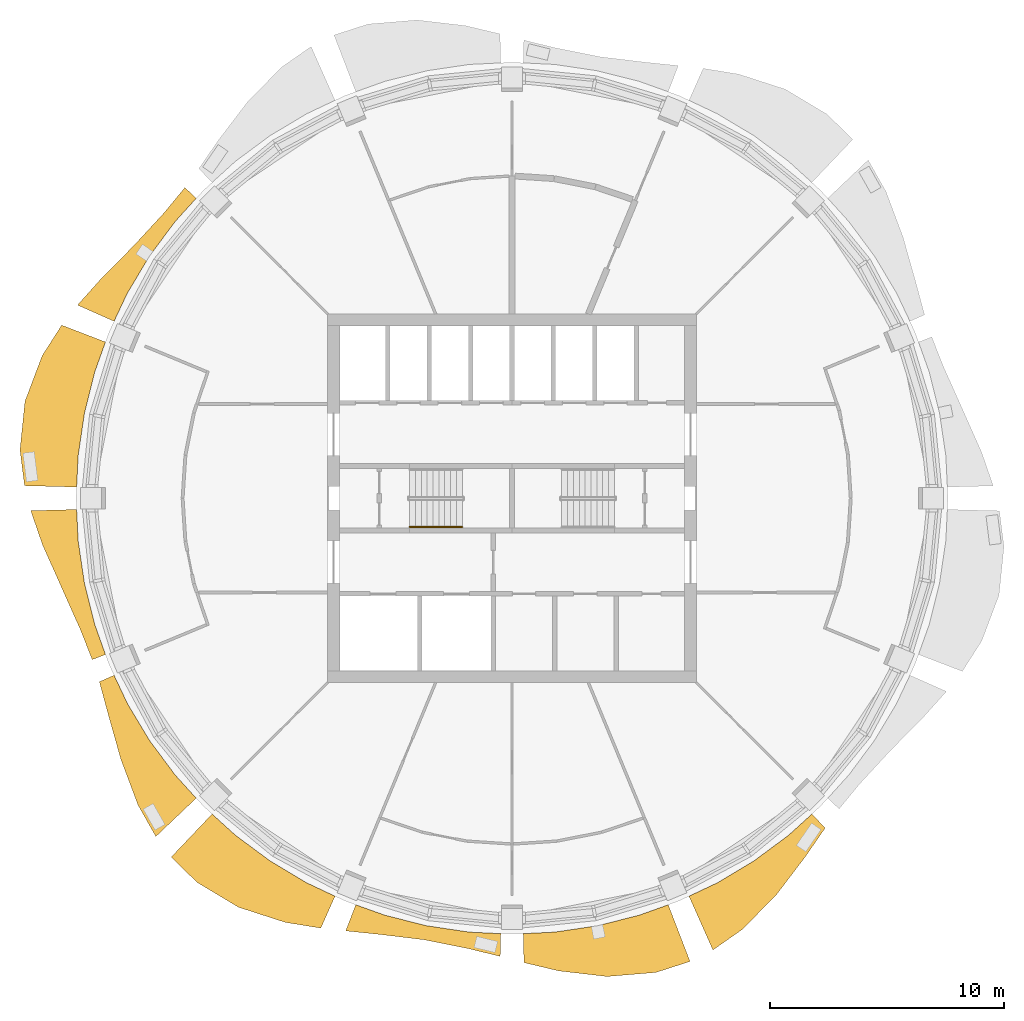
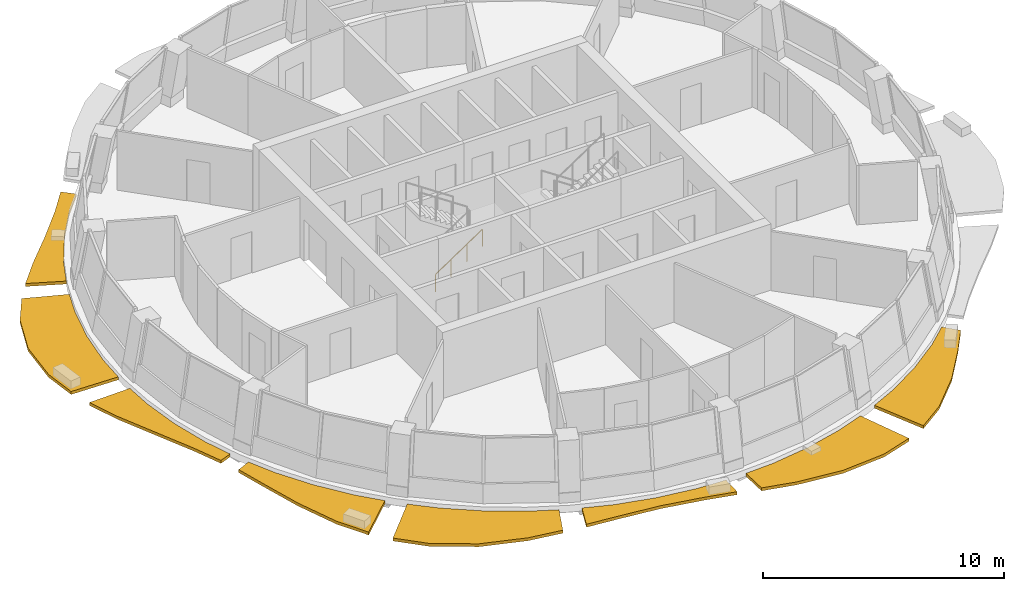
# One storey, part 8 of 11: 8 shading devices, 1 railing.
"""IFC4 building model written with IfcOpenShell, lengths in metres."""

from ifc_helpers import new_model, si_unit, direction, frame, origin, origin_2d, place, context, subcontext, project, spatial, polyline, circle, outline, extrude, material, type_object, element, save


model = new_model("IFC4")

# Units and contexts
model_context = context("Model", 3, precision=1e-05, world=origin(), true_north=direction((0.0, 1.0)))
body_context = subcontext(model_context, "Body", "Model", "MODEL_VIEW")
ifc_project = project(units=[si_unit("LENGTHUNIT", "METRE"), si_unit("AREAUNIT", "SQUARE_METRE"), si_unit("VOLUMEUNIT", "CUBIC_METRE"), si_unit("PLANEANGLEUNIT", "RADIAN"), si_unit("MASSUNIT", "GRAM", prefix="KILO")], contexts=[model_context])

# Site, building, storey
site_placement = place(None, origin())
site = spatial("IfcSite", under=ifc_project, at=site_placement, CompositionType="ELEMENT")
building_placement = place(site_placement, origin())
building = spatial("IfcBuilding", under=site, at=building_placement, Name="Polderwave Tower", CompositionType="ELEMENT")
storey_placement = place(building_placement, frame((0.0, 0.0, 184.300048828125)))
storey = spatial("IfcBuildingStorey", under=building, at=storey_placement, Name="L49", CompositionType="ELEMENT", Elevation=184.300048828125)

# Railing
ifc_material_1 = material(Name="Stainless steel", Category="steel")
railing_type = type_object("IfcRailingType", Name="Stair handrail 900", PredefinedType="HANDRAIL", material=ifc_material_1)
railing_placement = place(storey_placement, frame((-4.3740234375, -1.22509765625, 0.16748046875)))
element("IfcRailing", 1, at=railing_placement, inside=storey, type_object=railing_type, Name="L49 ST-A stair handrail 1", PredefinedType="HANDRAIL", context=body_context, shape_type="SweptSolid", body=[
    extrude(circle(Radius=0.02392578125, at=origin_2d()), frame((0.0, 0.0, 0.8759765625), z_axis=(0.830758306289, 0.0, 0.556633305266), x_axis=(0.0, 1.0, 0.0)), (0.0, 0.0, 1.0), 2.708251953125),
    extrude(circle(Radius=0.02099609375, at=origin_2d()), origin(), (0.0, 0.0, 1.0), 0.851806640625),
    extrude(circle(Radius=0.02099609375, at=origin_2d()), frame((0.75, 0.0, 0.50244140625)), (0.0, 0.0, 1.0), 0.851806640625),
    extrude(circle(Radius=0.02099609375, at=origin_2d()), frame((1.5, 0.0, 1.005126953125)), (0.0, 0.0, 1.0), 0.851806640625),
    extrude(circle(Radius=0.02099609375, at=origin_2d()), frame((2.25, 0.0, 1.507568359375)), (0.0, 0.0, 1.0), 0.851806640625),
])

# Shading devices
ifc_material_2 = material(Name="Terracotta", Category="masonry")
shading_device_type = type_object("IfcShadingDeviceType", Name="Terracotta sunshade band", PredefinedType="USERDEFINED", material=ifc_material_2)
shading_device_1_placement = place(storey_placement, frame((0.0, 0.0, -0.35009765625)))
element("IfcShadingDevice", 2, at=shading_device_1_placement, inside=storey, type_object=shading_device_type, Name="Sunshade band L49 7", ObjectType="SUNSHADE", PredefinedType="USERDEFINED", context=body_context, shape_type="SweptSolid", body=[
    extrude(outline(polyline([(-13.48828125, 12.81103515625), (-14.3935546875, 11.8125), (-15.48193359375, 10.3447265625), (-16.42138671875, 8.77734375), (-16.997802734375, 7.558837890625), (-18.5576171875, 8.252685546875), (-17.548828125, 9.380126953125), (-16.152587890625, 10.792724609375), (-14.85888671875, 12.1943359375), (-13.97216796875, 13.270751953125), (-13.48828125, 12.81103515625)])), origin(), (0.0, 0.0, 1.0), 0.150146484375),
])
shading_device_2_placement = place(storey_placement, frame((0.0, 0.0, -0.35009765625)))
element("IfcShadingDevice", 3, at=shading_device_2_placement, inside=storey, type_object=shading_device_type, Name="Sunshade band L49 8", ObjectType="SUNSHADE", PredefinedType="USERDEFINED", context=body_context, shape_type="SweptSolid", body=[
    extrude(outline(polyline([(-17.364013671875, 6.67431640625), (-17.818115234375, 5.405029296875), (-18.26220703125, 3.632568359375), (-18.5302734375, 1.8251953125), (-18.596435546875, 0.478759765625), (-20.822998046875, 0.5361328125), (-21.01513671875, 2.06982421875), (-20.803955078125, 4.13818359375), (-20.06884765625, 6.087890625), (-19.235107421875, 7.393310546875), (-17.364013671875, 6.67431640625)])), origin(), (0.0, 0.0, 1.0), 0.150146484375),
])
shading_device_3_placement = place(storey_placement, frame((0.0, 0.0, -0.35009765625)))
element("IfcShadingDevice", 4, at=shading_device_3_placement, inside=storey, type_object=shading_device_type, Name="Sunshade band L49 9", ObjectType="SUNSHADE", PredefinedType="USERDEFINED", context=body_context, shape_type="SweptSolid", body=[
    extrude(outline(polyline([(-18.596435546875, -0.478759765625), (-18.5302734375, -1.8251953125), (-18.26220703125, -3.632568359375), (-17.818115234375, -5.405029296875), (-17.364013671875, -6.67431640625), (-17.9296875, -6.8916015625), (-18.443115234375, -5.5947265625), (-19.234619140625, -3.825927734375), (-20.0576171875, -1.9755859375), (-20.556640625, -0.529296875), (-18.596435546875, -0.478759765625)])), origin(), (0.0, 0.0, 1.0), 0.150146484375),
])
shading_device_4_placement = place(storey_placement, frame((0.0, 0.0, -0.35009765625)))
element("IfcShadingDevice", 5, at=shading_device_4_placement, inside=storey, type_object=shading_device_type, Name="Sunshade band L49 10", ObjectType="SUNSHADE", PredefinedType="USERDEFINED", context=body_context, shape_type="SweptSolid", body=[
    extrude(outline(polyline([(-16.997802734375, -7.558837890625), (-16.42138671875, -8.77734375), (-15.48193359375, -10.3447265625), (-14.3935546875, -11.8125), (-13.48828125, -12.81103515625), (-15.212890625, -14.44921875), (-15.97216796875, -13.10791015625), (-16.70361328125, -11.1611328125), (-17.2509765625, -9.220703125), (-17.623779296875, -7.83740234375), (-16.997802734375, -7.558837890625)])), origin(), (0.0, 0.0, 1.0), 0.150146484375),
])
shading_device_5_placement = place(storey_placement, frame((0.0, 0.0, -0.35009765625)))
element("IfcShadingDevice", 6, at=shading_device_5_placement, inside=storey, type_object=shading_device_type, Name="Sunshade band L49 11", ObjectType="SUNSHADE", PredefinedType="USERDEFINED", context=body_context, shape_type="SweptSolid", body=[
    extrude(outline(polyline([(-12.81103515625, -13.48828125), (-11.8125, -14.3935546875), (-10.3447265625, -15.48193359375), (-8.77734375, -16.42138671875), (-7.558837890625, -16.997802734375), (-8.16552734375, -18.36181640625), (-9.68310546875, -18.115966796875), (-11.67431640625, -17.471923828125), (-13.46044921875, -16.401611328125), (-14.555419921875, -15.32470703125), (-12.81103515625, -13.48828125)])), origin(), (0.0, 0.0, 1.0), 0.150146484375),
])
shading_device_6_placement = place(storey_placement, frame((0.0, 0.0, -0.35009765625)))
element("IfcShadingDevice", 7, at=shading_device_6_placement, inside=storey, type_object=shading_device_type, Name="Sunshade band L49 12", ObjectType="SUNSHADE", PredefinedType="USERDEFINED", context=body_context, shape_type="SweptSolid", body=[
    extrude(outline(polyline([(-6.67431640625, -17.364013671875), (-5.405029296875, -17.818115234375), (-3.632568359375, -18.26220703125), (-1.8251953125, -18.5302734375), (-0.478759765625, -18.596435546875), (-0.50390625, -19.56884765625), (-1.89404296875, -19.22998046875), (-3.751220703125, -18.859130859375), (-5.6513671875, -18.6298828125), (-7.103271484375, -18.480224609375), (-6.67431640625, -17.364013671875)])), origin(), (0.0, 0.0, 1.0), 0.150146484375),
])
shading_device_7_placement = place(storey_placement, frame((0.0, 0.0, -0.35009765625)))
element("IfcShadingDevice", 8, at=shading_device_7_placement, inside=storey, type_object=shading_device_type, Name="Sunshade band L49 13", ObjectType="SUNSHADE", PredefinedType="USERDEFINED", context=body_context, shape_type="SweptSolid", body=[
    extrude(outline(polyline([(0.478759765625, -18.596435546875), (1.8251953125, -18.5302734375), (3.632568359375, -18.26220703125), (5.405029296875, -17.818115234375), (6.67431640625, -17.364013671875), (7.60498046875, -19.78564453125), (6.144287109375, -20.255615234375), (4.0634765625, -20.428466796875), (1.98828125, -20.187744140625), (0.5107421875, -19.835205078125), (0.478759765625, -18.596435546875)])), origin(), (0.0, 0.0, 1.0), 0.150146484375),
])
shading_device_8_placement = place(storey_placement, frame((0.0, 0.0, -0.35009765625)))
element("IfcShadingDevice", 9, at=shading_device_8_placement, inside=storey, type_object=shading_device_type, Name="Sunshade band L49 14", ObjectType="SUNSHADE", PredefinedType="USERDEFINED", context=body_context, shape_type="SweptSolid", body=[
    extrude(outline(polyline([(7.558837890625, -16.997802734375), (8.77734375, -16.42138671875), (10.3447265625, -15.48193359375), (11.8125, -14.3935546875), (12.81103515625, -13.48828125), (13.376708984375, -14.083740234375), (12.546875, -15.288330078125), (11.30615234375, -16.9208984375), (9.842529296875, -18.4140625), (8.580810546875, -19.29541015625), (7.558837890625, -16.997802734375)])), origin(), (0.0, 0.0, 1.0), 0.150146484375),
])

save(model, "model.ifc")
